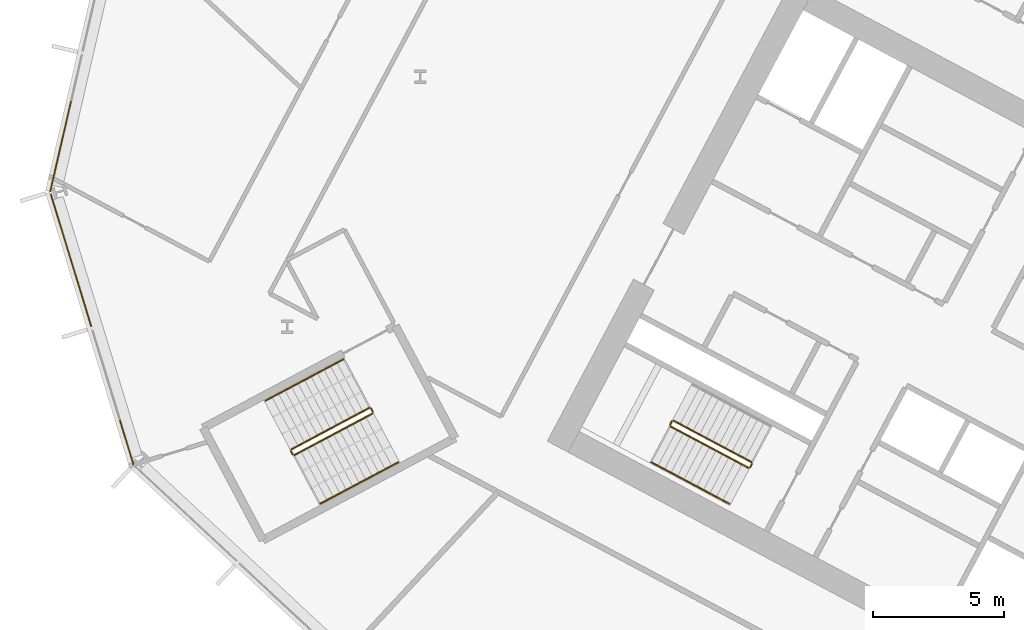
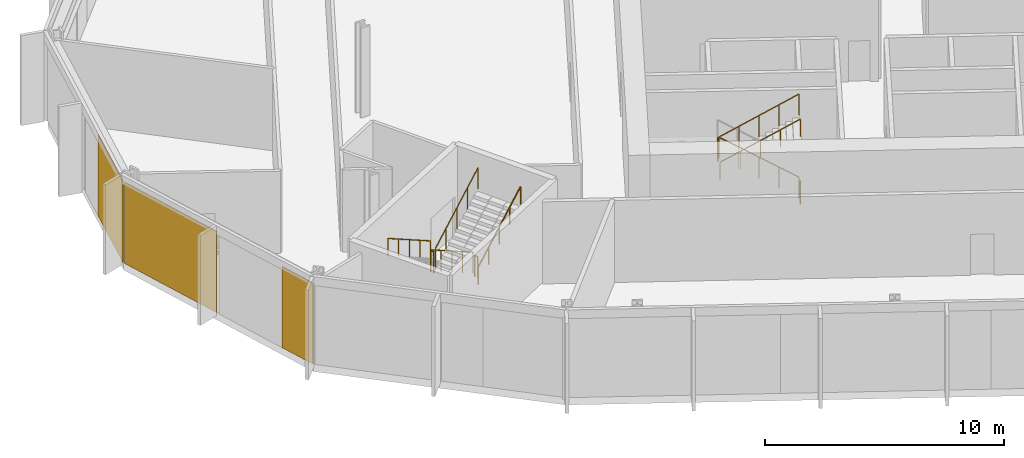
# One storey, part 23 of 31: 11 railings, 3 coverings, 2 elements without a shape of their own.
"""IFC4 building model written with IfcOpenShell, lengths in metres."""

from ifc_helpers import new_model, si_unit, direction, frame, origin, origin_2d, place, context, subcontext, project, spatial, polyline, rectangle, outline, extrude, material, layer, layer_set, type_object, element, aggregate, save


model = new_model("IFC4")

# Units and contexts
model_context = context("Model", 3, precision=1e-05, world=origin(), true_north=direction((0.0, 1.0)))
body_context = subcontext(model_context, "Body", "Model", "MODEL_VIEW")
ifc_project = project(units=[si_unit("LENGTHUNIT", "METRE"), si_unit("AREAUNIT", "SQUARE_METRE"), si_unit("VOLUMEUNIT", "CUBIC_METRE"), si_unit("PLANEANGLEUNIT", "RADIAN"), si_unit("MASSUNIT", "GRAM", prefix="KILO")], contexts=[model_context])

# Site, building, storey
site_placement = place(None, origin())
site = spatial("IfcSite", under=ifc_project, at=site_placement, CompositionType="ELEMENT")
building_placement = place(site_placement, origin())
building = spatial("IfcBuilding", under=site, at=building_placement, Name="Cormorant Relay Tower", CompositionType="ELEMENT")
storey_placement = place(building_placement, frame((0.0, 0.0, 93.800048828125)))
storey = spatial("IfcBuildingStorey", under=building, at=storey_placement, Name="L18", CompositionType="ELEMENT", Elevation=93.800048828125)

# Curtain wall, covering
ifc_material_1 = material(Name="Aluminium 6063-T6 anodised bronze", Category="aluminium")
ifc_layer_1 = layer(ifc_material_1, 0.199951171875)
ifc_layer_set_1 = layer_set([ifc_layer_1], Name="CW1 unitised bronze curtain wall with vertical fins")
curtain_wall_type = type_object("IfcCurtainWallType", Name="CW1 unitised bronze curtain wall with vertical fins", PredefinedType="NOTDEFINED", material=ifc_layer_set_1)
curtain_wall_1_placement = place(storey_placement, origin())
curtain_wall_1 = element("IfcCurtainWall", 1, at=curtain_wall_1_placement, inside=storey, type_object=curtain_wall_type, Name="CW1 curtain wall 11", PredefinedType="NOTDEFINED")
ifc_material_2 = material(Name="Pale bronze anodised aluminium insulated panel", Category="aluminium")
ifc_layer_2 = layer(ifc_material_2, 0.0400390625)
ifc_layer_set_2 = layer_set([ifc_layer_2], Name="CW1 pale bronze insulated panel 40")
covering_type = type_object("IfcCoveringType", Name="CW1 pale bronze insulated panel 40", PredefinedType="CLADDING", material=ifc_layer_set_2)
covering_1_placement = place(storey_placement, frame((-60.3388671875, 22.13232421875, 0.0), z_axis=(0.0, 0.0, 1.0), x_axis=(-0.224951054344, -0.974370064785, 0.0)))
covering_1 = element("IfcCovering", 2, at=covering_1_placement, type_object=covering_type, Name="CW1 panel S02", PredefinedType="CLADDING", context=body_context, shape_type="SweptSolid", body=[
    extrude(rectangle(XDim=3.560302734375, YDim=0.0400390625, at=origin_2d()), origin(), (0.0, 0.0, 1.0), 4.14990234375),
])
aggregate(curtain_wall_1, [covering_1])

# Curtain wall, coverings
curtain_wall_2_placement = place(storey_placement, origin())
curtain_wall_2 = element("IfcCurtainWall", 3, at=curtain_wall_2_placement, inside=storey, type_object=curtain_wall_type, Name="CW1 curtain wall 12", PredefinedType="NOTDEFINED")
covering_2_placement = place(storey_placement, frame((-59.9443359375, 17.78857421875, 0.0), z_axis=(0.0, 0.0, 1.0), x_axis=(0.292371704723, -0.956304755963, 0.0)))
covering_2 = element("IfcCovering", 4, at=covering_2_placement, type_object=covering_type, Name="CW1 panel S00", PredefinedType="CLADDING", context=body_context, shape_type="SweptSolid", body=[
    extrude(rectangle(XDim=5.28515625, YDim=0.0400390625, at=origin_2d()), origin(), (0.0, 0.0, 1.0), 4.14990234375),
])
covering_3_placement = place(storey_placement, frame((-57.818115234375, 10.833740234375, 0.0), z_axis=(0.0, 0.0, 1.0), x_axis=(0.292371704723, -0.956304755963, 0.0)))
covering_3 = element("IfcCovering", 5, at=covering_3_placement, type_object=covering_type, Name="CW1 panel S02", PredefinedType="CLADDING", context=body_context, shape_type="SweptSolid", body=[
    extrude(rectangle(XDim=1.76025390625, YDim=0.0400390625, at=origin_2d()), origin(), (0.0, 0.0, 1.0), 4.14990234375),
])
aggregate(curtain_wall_2, [covering_2, covering_3])

# Railings
ifc_material_3 = material(Name="Steel ASTM A572 Grade 50 (Fy 345 MPa)", Category="steel")
railing_type_1 = type_object("IfcRailingType", Name="Stair guard 1100", PredefinedType="GUARDRAIL", material=ifc_material_3)
railing_1_placement = place(storey_placement, frame((-33.9921875, 10.08935546875, 0.1767578125)))
element("IfcRailing", 6, at=railing_1_placement, inside=storey, type_object=railing_type_1, Name="L18 A2 stair guard 1", PredefinedType="GUARDRAIL", context=body_context, shape_type="SweptSolid", body=[
    extrude(outline(polyline([(0.022216796875, 0.00927734375), (0.00927734375, 0.022216796875), (-0.00927734375, 0.022216796875), (-0.022216796875, 0.00927734375), (-0.022216796875, -0.00927734375), (-0.00927734375, -0.022216796875), (0.00927734375, -0.022216796875), (0.022216796875, -0.00927734375), (0.022216796875, 0.00927734375)])), frame((0.0, 0.0, 1.076171875), z_axis=(-0.746416176936, 0.396856066424, 0.534198608526), x_axis=(-0.46945269911, -0.882957622595, 0.0)), (0.0, 0.0, 1.0), 3.974609375),
    extrude(outline(polyline([(0.019287109375, 0.008056640625), (0.008056640625, 0.019287109375), (-0.008056640625, 0.019287109375), (-0.019287109375, 0.008056640625), (-0.019287109375, -0.008056640625), (-0.008056640625, -0.019287109375), (0.008056640625, -0.019287109375), (0.019287109375, -0.008056640625), (0.019287109375, 0.008056640625)])), origin(), (0.0, 0.0, 1.0), 1.052001953125),
    extrude(outline(polyline([(0.019287109375, 0.008056640625), (0.008056640625, 0.019287109375), (-0.008056640625, 0.019287109375), (-0.019287109375, 0.008056640625), (-0.019287109375, -0.008056640625), (-0.008056640625, -0.019287109375), (0.008056640625, -0.019287109375), (0.019287109375, -0.008056640625), (0.019287109375, 0.008056640625)])), frame((-0.74169921875, 0.394287109375, 0.53076171875)), (0.0, 0.0, 1.0), 1.052001953125),
    extrude(outline(polyline([(0.019287109375, 0.008056640625), (0.008056640625, 0.019287109375), (-0.008056640625, 0.019287109375), (-0.019287109375, 0.008056640625), (-0.019287109375, -0.008056640625), (-0.008056640625, -0.019287109375), (0.008056640625, -0.019287109375), (0.019287109375, -0.008056640625), (0.019287109375, 0.008056640625)])), frame((-1.4833984375, 0.78857421875, 1.0615234375)), (0.0, 0.0, 1.0), 1.052001953125),
    extrude(outline(polyline([(0.019287109375, 0.008056640625), (0.008056640625, 0.019287109375), (-0.008056640625, 0.019287109375), (-0.019287109375, 0.008056640625), (-0.019287109375, -0.008056640625), (-0.008056640625, -0.019287109375), (0.008056640625, -0.019287109375), (0.019287109375, -0.008056640625), (0.019287109375, 0.008056640625)])), frame((-2.22509765625, 1.18310546875, 1.592529296875)), (0.0, 0.0, 1.0), 1.052001953125),
    extrude(outline(polyline([(0.019287109375, 0.008056640625), (0.008056640625, 0.019287109375), (-0.008056640625, 0.019287109375), (-0.019287109375, 0.008056640625), (-0.019287109375, -0.008056640625), (-0.008056640625, -0.019287109375), (0.008056640625, -0.019287109375), (0.019287109375, -0.008056640625), (0.019287109375, 0.008056640625)])), frame((-2.966796875, 1.577392578125, 2.123291015625)), (0.0, 0.0, 1.0), 1.052001953125),
])
railing_2_placement = place(storey_placement, frame((-37.026611328125, 11.64599609375, 2.300048828125)))
element("IfcRailing", 7, at=railing_2_placement, inside=storey, type_object=railing_type_1, Name="L18 A2 stair guard 2", PredefinedType="GUARDRAIL", context=body_context, shape_type="SweptSolid", body=[
    extrude(outline(polyline([(0.022216796875, 0.00927734375), (0.00927734375, 0.022216796875), (-0.00927734375, 0.022216796875), (-0.022216796875, 0.00927734375), (-0.022216796875, -0.00927734375), (-0.00927734375, -0.022216796875), (0.00927734375, -0.022216796875), (0.022216796875, -0.00927734375), (0.022216796875, 0.00927734375)])), frame((0.0, 0.0, 1.076171875), z_axis=(-0.469234640946, -0.883073525669, 0.0), x_axis=(0.883073525669, -0.469234640946, 0.0)), (0.0, 0.0, 1.0), 0.14990234375),
    extrude(outline(polyline([(0.019287109375, 0.008056640625), (0.008056640625, 0.019287109375), (-0.008056640625, 0.019287109375), (-0.019287109375, 0.008056640625), (-0.019287109375, -0.008056640625), (-0.008056640625, -0.019287109375), (0.008056640625, -0.019287109375), (0.019287109375, -0.008056640625), (0.019287109375, 0.008056640625)])), origin(), (0.0, 0.0, 1.0), 1.052001953125),
    extrude(outline(polyline([(0.019287109375, 0.008056640625), (0.008056640625, 0.019287109375), (-0.008056640625, 0.019287109375), (-0.019287109375, 0.008056640625), (-0.019287109375, -0.008056640625), (-0.008056640625, -0.019287109375), (0.008056640625, -0.019287109375), (0.019287109375, -0.008056640625), (0.019287109375, 0.008056640625)])), frame((-0.0703125, -0.13232421875, 0.0)), (0.0, 0.0, 1.0), 1.052001953125),
])
railing_3_placement = place(storey_placement, frame((-37.076171875, 11.446044921875, 2.476806640625)))
element("IfcRailing", 8, at=railing_3_placement, inside=storey, type_object=railing_type_1, Name="L18 A2 stair guard 3", PredefinedType="GUARDRAIL", context=body_context, shape_type="SweptSolid", body=[
    extrude(outline(polyline([(0.022216796875, 0.00927734375), (0.00927734375, 0.022216796875), (-0.00927734375, 0.022216796875), (-0.022216796875, 0.00927734375), (-0.022216796875, -0.00927734375), (-0.00927734375, -0.022216796875), (0.00927734375, -0.022216796875), (0.022216796875, -0.00927734375), (0.022216796875, 0.00927734375)])), frame((0.0, 0.0, 1.076171875), z_axis=(0.746413465702, -0.396887285154, 0.534179203172), x_axis=(0.469482818608, 0.88294160794, 0.0)), (0.0, 0.0, 1.0), 3.974365234375),
    extrude(outline(polyline([(0.019287109375, 0.008056640625), (0.008056640625, 0.019287109375), (-0.008056640625, 0.019287109375), (-0.019287109375, 0.008056640625), (-0.019287109375, -0.008056640625), (-0.008056640625, -0.019287109375), (0.008056640625, -0.019287109375), (0.019287109375, -0.008056640625), (0.019287109375, 0.008056640625)])), origin(), (0.0, 0.0, 1.0), 1.052001953125),
    extrude(outline(polyline([(0.019287109375, 0.008056640625), (0.008056640625, 0.019287109375), (-0.008056640625, 0.019287109375), (-0.019287109375, 0.008056640625), (-0.019287109375, -0.008056640625), (-0.008056640625, -0.019287109375), (0.008056640625, -0.019287109375), (0.019287109375, -0.008056640625), (0.019287109375, 0.008056640625)])), frame((0.74169921875, -0.394287109375, 0.53076171875)), (0.0, 0.0, 1.0), 1.052001953125),
    extrude(outline(polyline([(0.019287109375, 0.008056640625), (0.008056640625, 0.019287109375), (-0.008056640625, 0.019287109375), (-0.019287109375, 0.008056640625), (-0.019287109375, -0.008056640625), (-0.008056640625, -0.019287109375), (0.008056640625, -0.019287109375), (0.019287109375, -0.008056640625), (0.019287109375, 0.008056640625)])), frame((1.4833984375, -0.78857421875, 1.0615234375)), (0.0, 0.0, 1.0), 1.052001953125),
    extrude(outline(polyline([(0.019287109375, 0.008056640625), (0.008056640625, 0.019287109375), (-0.008056640625, 0.019287109375), (-0.019287109375, 0.008056640625), (-0.019287109375, -0.008056640625), (-0.008056640625, -0.019287109375), (0.008056640625, -0.019287109375), (0.019287109375, -0.008056640625), (0.019287109375, 0.008056640625)])), frame((2.224853515625, -1.18310546875, 1.59228515625)), (0.0, 0.0, 1.0), 1.052001953125),
    extrude(outline(polyline([(0.019287109375, 0.008056640625), (0.008056640625, 0.019287109375), (-0.008056640625, 0.019287109375), (-0.019287109375, 0.008056640625), (-0.019287109375, -0.008056640625), (-0.008056640625, -0.019287109375), (0.008056640625, -0.019287109375), (0.019287109375, -0.008056640625), (0.019287109375, 0.008056640625)])), frame((2.966552734375, -1.577392578125, 2.123046875)), (0.0, 0.0, 1.0), 1.052001953125),
])
railing_4_placement = place(storey_placement, frame((-33.971435546875, 10.021728515625, 0.0)))
element("IfcRailing", 9, at=railing_4_placement, inside=storey, type_object=railing_type_1, Name="L18 A2 stair guard 4", PredefinedType="GUARDRAIL", context=body_context, shape_type="SweptSolid", body=[
    extrude(outline(polyline([(0.022216796875, 0.00927734375), (0.00927734375, 0.022216796875), (-0.00927734375, 0.022216796875), (-0.022216796875, 0.00927734375), (-0.022216796875, -0.00927734375), (-0.00927734375, -0.022216796875), (0.00927734375, -0.022216796875), (0.022216796875, -0.00927734375), (0.022216796875, 0.00927734375)])), frame((0.0, 0.0, 1.076171875), z_axis=(-0.470503732759, -0.882398003998, 0.0), x_axis=(0.882398003998, -0.470503732759, 0.0)), (0.0, 0.0, 1.0), 0.14990234375),
    extrude(outline(polyline([(0.019287109375, 0.008056640625), (0.008056640625, 0.019287109375), (-0.008056640625, 0.019287109375), (-0.019287109375, 0.008056640625), (-0.019287109375, -0.008056640625), (-0.008056640625, -0.019287109375), (0.008056640625, -0.019287109375), (0.019287109375, -0.008056640625), (0.019287109375, 0.008056640625)])), origin(), (0.0, 0.0, 1.0), 1.052001953125),
    extrude(outline(polyline([(0.019287109375, 0.008056640625), (0.008056640625, 0.019287109375), (-0.008056640625, 0.019287109375), (-0.019287109375, 0.008056640625), (-0.019287109375, -0.008056640625), (-0.008056640625, -0.019287109375), (0.008056640625, -0.019287109375), (0.019287109375, -0.008056640625), (0.019287109375, 0.008056640625)])), frame((-0.070556640625, -0.13232421875, 0.0)), (0.0, 0.0, 1.0), 1.052001953125),
])
railing_5_placement = place(storey_placement, frame((-48.5693359375, 12.155517578125, 0.1767578125)))
element("IfcRailing", 10, at=railing_5_placement, inside=storey, type_object=railing_type_1, Name="L18 RP1 stair guard 1", PredefinedType="GUARDRAIL", context=body_context, shape_type="SweptSolid", body=[
    extrude(outline(polyline([(0.022216796875, 0.00927734375), (0.00927734375, 0.022216796875), (-0.00927734375, 0.022216796875), (-0.022216796875, 0.00927734375), (-0.022216796875, -0.00927734375), (-0.00927734375, -0.022216796875), (0.00927734375, -0.022216796875), (0.022216796875, -0.00927734375), (0.022216796875, 0.00927734375)])), frame((0.0, 0.0, 1.076171875), z_axis=(-0.74639798139, -0.396907814001, 0.534185586253), x_axis=(0.469509342547, -0.882927503967, 0.0)), (0.0, 0.0, 1.0), 3.974853515625),
    extrude(outline(polyline([(0.019287109375, 0.008056640625), (0.008056640625, 0.019287109375), (-0.008056640625, 0.019287109375), (-0.019287109375, 0.008056640625), (-0.019287109375, -0.008056640625), (-0.008056640625, -0.019287109375), (0.008056640625, -0.019287109375), (0.019287109375, -0.008056640625), (0.019287109375, 0.008056640625)])), origin(), (0.0, 0.0, 1.0), 1.052001953125),
    extrude(outline(polyline([(0.019287109375, 0.008056640625), (0.008056640625, 0.019287109375), (-0.008056640625, 0.019287109375), (-0.019287109375, 0.008056640625), (-0.019287109375, -0.008056640625), (-0.008056640625, -0.019287109375), (0.008056640625, -0.019287109375), (0.019287109375, -0.008056640625), (0.019287109375, 0.008056640625)])), frame((-0.74169921875, -0.39453125, 0.53076171875)), (0.0, 0.0, 1.0), 1.052001953125),
    extrude(outline(polyline([(0.019287109375, 0.008056640625), (0.008056640625, 0.019287109375), (-0.008056640625, 0.019287109375), (-0.019287109375, 0.008056640625), (-0.019287109375, -0.008056640625), (-0.008056640625, -0.019287109375), (0.008056640625, -0.019287109375), (0.019287109375, -0.008056640625), (0.019287109375, 0.008056640625)])), frame((-1.4833984375, -0.788818359375, 1.0615234375)), (0.0, 0.0, 1.0), 1.052001953125),
    extrude(outline(polyline([(0.019287109375, 0.008056640625), (0.008056640625, 0.019287109375), (-0.008056640625, 0.019287109375), (-0.019287109375, 0.008056640625), (-0.019287109375, -0.008056640625), (-0.008056640625, -0.019287109375), (0.008056640625, -0.019287109375), (0.019287109375, -0.008056640625), (0.019287109375, 0.008056640625)])), frame((-2.22509765625, -1.18310546875, 1.592529296875)), (0.0, 0.0, 1.0), 1.052001953125),
    extrude(outline(polyline([(0.019287109375, 0.008056640625), (0.008056640625, 0.019287109375), (-0.008056640625, 0.019287109375), (-0.019287109375, 0.008056640625), (-0.019287109375, -0.008056640625), (-0.008056640625, -0.019287109375), (0.008056640625, -0.019287109375), (0.019287109375, -0.008056640625), (0.019287109375, 0.008056640625)])), frame((-2.966796875, -1.57763671875, 2.123291015625)), (0.0, 0.0, 1.0), 1.052001953125),
])
railing_6_placement = place(storey_placement, frame((-51.556640625, 10.51025390625, 2.300048828125)))
element("IfcRailing", 11, at=railing_6_placement, inside=storey, type_object=railing_type_1, Name="L18 RP1 stair guard 2", PredefinedType="GUARDRAIL", context=body_context, shape_type="SweptSolid", body=[
    extrude(outline(polyline([(0.022216796875, 0.00927734375), (0.00927734375, 0.022216796875), (-0.00927734375, 0.022216796875), (-0.022216796875, 0.00927734375), (-0.022216796875, -0.00927734375), (-0.00927734375, -0.022216796875), (0.00927734375, -0.022216796875), (0.022216796875, -0.00927734375), (0.022216796875, 0.00927734375)])), frame((0.0, 0.0, 1.076171875), z_axis=(0.469234640946, -0.883073525669, 0.0), x_axis=(0.883073525669, 0.469234640946, 0.0)), (0.0, 0.0, 1.0), 0.14990234375),
    extrude(outline(polyline([(0.019287109375, 0.008056640625), (0.008056640625, 0.019287109375), (-0.008056640625, 0.019287109375), (-0.019287109375, 0.008056640625), (-0.019287109375, -0.008056640625), (-0.008056640625, -0.019287109375), (0.008056640625, -0.019287109375), (0.019287109375, -0.008056640625), (0.019287109375, 0.008056640625)])), origin(), (0.0, 0.0, 1.0), 1.052001953125),
    extrude(outline(polyline([(0.019287109375, 0.008056640625), (0.008056640625, 0.019287109375), (-0.008056640625, 0.019287109375), (-0.019287109375, 0.008056640625), (-0.019287109375, -0.008056640625), (-0.008056640625, -0.019287109375), (0.008056640625, -0.019287109375), (0.019287109375, -0.008056640625), (0.019287109375, 0.008056640625)])), frame((0.0703125, -0.13232421875, 0.0)), (0.0, 0.0, 1.0), 1.052001953125),
])
railing_7_placement = place(storey_placement, frame((-51.418701171875, 10.357177734375, 2.476806640625)))
element("IfcRailing", 12, at=railing_7_placement, inside=storey, type_object=railing_type_1, Name="L18 RP1 stair guard 3", PredefinedType="GUARDRAIL", context=body_context, shape_type="SweptSolid", body=[
    extrude(outline(polyline([(0.022216796875, 0.00927734375), (0.00927734375, 0.022216796875), (-0.00927734375, 0.022216796875), (-0.022216796875, 0.00927734375), (-0.022216796875, -0.00927734375), (-0.00927734375, -0.022216796875), (0.00927734375, -0.022216796875), (0.022216796875, -0.00927734375), (0.022216796875, 0.00927734375)])), frame((0.0, 0.0, 1.076171875), z_axis=(0.746440668329, 0.396869088057, 0.534154711306), x_axis=(-0.46945269911, 0.882957622595, 0.0)), (0.0, 0.0, 1.0), 3.974609375),
    extrude(outline(polyline([(0.019287109375, 0.008056640625), (0.008056640625, 0.019287109375), (-0.008056640625, 0.019287109375), (-0.019287109375, 0.008056640625), (-0.019287109375, -0.008056640625), (-0.008056640625, -0.019287109375), (0.008056640625, -0.019287109375), (0.019287109375, -0.008056640625), (0.019287109375, 0.008056640625)])), origin(), (0.0, 0.0, 1.0), 1.052001953125),
    extrude(outline(polyline([(0.019287109375, 0.008056640625), (0.008056640625, 0.019287109375), (-0.008056640625, 0.019287109375), (-0.019287109375, 0.008056640625), (-0.019287109375, -0.008056640625), (-0.008056640625, -0.019287109375), (0.008056640625, -0.019287109375), (0.019287109375, -0.008056640625), (0.019287109375, 0.008056640625)])), frame((0.74169921875, 0.394287109375, 0.53076171875)), (0.0, 0.0, 1.0), 1.052001953125),
    extrude(outline(polyline([(0.019287109375, 0.008056640625), (0.008056640625, 0.019287109375), (-0.008056640625, 0.019287109375), (-0.019287109375, 0.008056640625), (-0.019287109375, -0.008056640625), (-0.008056640625, -0.019287109375), (0.008056640625, -0.019287109375), (0.019287109375, -0.008056640625), (0.019287109375, 0.008056640625)])), frame((1.4833984375, 0.78857421875, 1.0615234375)), (0.0, 0.0, 1.0), 1.052001953125),
    extrude(outline(polyline([(0.019287109375, 0.008056640625), (0.008056640625, 0.019287109375), (-0.008056640625, 0.019287109375), (-0.019287109375, 0.008056640625), (-0.019287109375, -0.008056640625), (-0.008056640625, -0.019287109375), (0.008056640625, -0.019287109375), (0.019287109375, -0.008056640625), (0.019287109375, 0.008056640625)])), frame((2.22509765625, 1.18310546875, 1.59228515625)), (0.0, 0.0, 1.0), 1.052001953125),
    extrude(outline(polyline([(0.019287109375, 0.008056640625), (0.008056640625, 0.019287109375), (-0.008056640625, 0.019287109375), (-0.019287109375, 0.008056640625), (-0.019287109375, -0.008056640625), (-0.008056640625, -0.019287109375), (0.008056640625, -0.019287109375), (0.019287109375, -0.008056640625), (0.019287109375, 0.008056640625)])), frame((2.966796875, 1.577392578125, 2.123046875)), (0.0, 0.0, 1.0), 1.052001953125),
])
railing_8_placement = place(storey_placement, frame((-48.501708984375, 12.134765625, 0.0)))
element("IfcRailing", 13, at=railing_8_placement, inside=storey, type_object=railing_type_1, Name="L18 RP1 stair guard 4", PredefinedType="GUARDRAIL", context=body_context, shape_type="SweptSolid", body=[
    extrude(outline(polyline([(0.022216796875, 0.00927734375), (0.00927734375, 0.022216796875), (-0.00927734375, 0.022216796875), (-0.022216796875, 0.00927734375), (-0.022216796875, -0.00927734375), (-0.00927734375, -0.022216796875), (0.00927734375, -0.022216796875), (0.022216796875, -0.00927734375), (0.022216796875, 0.00927734375)])), frame((0.0, 0.0, 1.076171875), z_axis=(0.46856034887, -0.8834314911, 0.0), x_axis=(0.8834314911, 0.46856034887, 0.0)), (0.0, 0.0, 1.0), 0.150146484375),
    extrude(outline(polyline([(0.019287109375, 0.008056640625), (0.008056640625, 0.019287109375), (-0.008056640625, 0.019287109375), (-0.019287109375, 0.008056640625), (-0.019287109375, -0.008056640625), (-0.008056640625, -0.019287109375), (0.008056640625, -0.019287109375), (0.019287109375, -0.008056640625), (0.019287109375, 0.008056640625)])), origin(), (0.0, 0.0, 1.0), 1.052001953125),
    extrude(outline(polyline([(0.019287109375, 0.008056640625), (0.008056640625, 0.019287109375), (-0.008056640625, 0.019287109375), (-0.019287109375, 0.008056640625), (-0.019287109375, -0.008056640625), (-0.008056640625, -0.019287109375), (0.008056640625, -0.019287109375), (0.019287109375, -0.008056640625), (0.019287109375, 0.008056640625)])), frame((0.0703125, -0.132568359375, 0.0)), (0.0, 0.0, 1.0), 1.052001953125),
])
ifc_material_4 = material(Name="Steel ASTM A572 Grade 50 (Fy 345 MPa)", Category="steel")
railing_type_2 = type_object("IfcRailingType", Name="Stair handrail 900", PredefinedType="HANDRAIL", material=ifc_material_4)
railing_9_placement = place(storey_placement, frame((-37.803955078125, 10.077392578125, 2.476806640625)))
element("IfcRailing", 14, at=railing_9_placement, inside=storey, type_object=railing_type_2, Name="L18 A2 stair handrail 2", PredefinedType="HANDRAIL", context=body_context, shape_type="SweptSolid", body=[
    extrude(outline(polyline([(0.022216796875, 0.00927734375), (0.00927734375, 0.022216796875), (-0.00927734375, 0.022216796875), (-0.022216796875, 0.00927734375), (-0.022216796875, -0.00927734375), (-0.00927734375, -0.022216796875), (0.00927734375, -0.022216796875), (0.022216796875, -0.00927734375), (0.022216796875, 0.00927734375)])), frame((0.0, 0.0, 0.8759765625), z_axis=(0.746440668329, -0.396869088057, 0.534154711306), x_axis=(0.46945269911, 0.882957622595, 0.0)), (0.0, 0.0, 1.0), 3.974609375),
    extrude(outline(polyline([(0.019287109375, 0.008056640625), (0.008056640625, 0.019287109375), (-0.008056640625, 0.019287109375), (-0.019287109375, 0.008056640625), (-0.019287109375, -0.008056640625), (-0.008056640625, -0.019287109375), (0.008056640625, -0.019287109375), (0.019287109375, -0.008056640625), (0.019287109375, 0.008056640625)])), origin(), (0.0, 0.0, 1.0), 0.851806640625),
    extrude(outline(polyline([(0.019287109375, 0.008056640625), (0.008056640625, 0.019287109375), (-0.008056640625, 0.019287109375), (-0.019287109375, 0.008056640625), (-0.019287109375, -0.008056640625), (-0.008056640625, -0.019287109375), (0.008056640625, -0.019287109375), (0.019287109375, -0.008056640625), (0.019287109375, 0.008056640625)])), frame((0.74169921875, -0.394287109375, 0.53076171875)), (0.0, 0.0, 1.0), 0.851806640625),
    extrude(outline(polyline([(0.019287109375, 0.008056640625), (0.008056640625, 0.019287109375), (-0.008056640625, 0.019287109375), (-0.019287109375, 0.008056640625), (-0.019287109375, -0.008056640625), (-0.008056640625, -0.019287109375), (0.008056640625, -0.019287109375), (0.019287109375, -0.008056640625), (0.019287109375, 0.008056640625)])), frame((1.4833984375, -0.78857421875, 1.0615234375)), (0.0, 0.0, 1.0), 0.851806640625),
    extrude(outline(polyline([(0.019287109375, 0.008056640625), (0.008056640625, 0.019287109375), (-0.008056640625, 0.019287109375), (-0.019287109375, 0.008056640625), (-0.019287109375, -0.008056640625), (-0.008056640625, -0.019287109375), (0.008056640625, -0.019287109375), (0.019287109375, -0.008056640625), (0.019287109375, 0.008056640625)])), frame((2.22509765625, -1.18310546875, 1.59228515625)), (0.0, 0.0, 1.0), 0.851806640625),
    extrude(outline(polyline([(0.019287109375, 0.008056640625), (0.008056640625, 0.019287109375), (-0.008056640625, 0.019287109375), (-0.019287109375, 0.008056640625), (-0.019287109375, -0.008056640625), (-0.008056640625, -0.019287109375), (0.008056640625, -0.019287109375), (0.019287109375, -0.008056640625), (0.019287109375, 0.008056640625)])), frame((2.966796875, -1.577392578125, 2.123046875)), (0.0, 0.0, 1.0), 0.851806640625),
])
railing_10_placement = place(storey_placement, frame((-49.55517578125, 14.009521484375, 0.1767578125)))
element("IfcRailing", 15, at=railing_10_placement, inside=storey, type_object=railing_type_2, Name="L18 RP1 stair handrail 1", PredefinedType="HANDRAIL", context=body_context, shape_type="SweptSolid", body=[
    extrude(outline(polyline([(0.022216796875, 0.00927734375), (0.00927734375, 0.022216796875), (-0.00927734375, 0.022216796875), (-0.022216796875, 0.00927734375), (-0.022216796875, -0.00927734375), (-0.00927734375, -0.022216796875), (0.00927734375, -0.022216796875), (0.022216796875, -0.00927734375), (0.022216796875, 0.00927734375)])), frame((0.0, 0.0, 0.8759765625), z_axis=(-0.746416176936, -0.396856066424, 0.534198608526), x_axis=(0.46945269911, -0.882957622595, 0.0)), (0.0, 0.0, 1.0), 3.974609375),
    extrude(outline(polyline([(0.019287109375, 0.008056640625), (0.008056640625, 0.019287109375), (-0.008056640625, 0.019287109375), (-0.019287109375, 0.008056640625), (-0.019287109375, -0.008056640625), (-0.008056640625, -0.019287109375), (0.008056640625, -0.019287109375), (0.019287109375, -0.008056640625), (0.019287109375, 0.008056640625)])), origin(), (0.0, 0.0, 1.0), 0.851806640625),
    extrude(outline(polyline([(0.019287109375, 0.008056640625), (0.008056640625, 0.019287109375), (-0.008056640625, 0.019287109375), (-0.019287109375, 0.008056640625), (-0.019287109375, -0.008056640625), (-0.008056640625, -0.019287109375), (0.008056640625, -0.019287109375), (0.019287109375, -0.008056640625), (0.019287109375, 0.008056640625)])), frame((-0.74169921875, -0.394287109375, 0.53076171875)), (0.0, 0.0, 1.0), 0.851806640625),
    extrude(outline(polyline([(0.019287109375, 0.008056640625), (0.008056640625, 0.019287109375), (-0.008056640625, 0.019287109375), (-0.019287109375, 0.008056640625), (-0.019287109375, -0.008056640625), (-0.008056640625, -0.019287109375), (0.008056640625, -0.019287109375), (0.019287109375, -0.008056640625), (0.019287109375, 0.008056640625)])), frame((-1.4833984375, -0.78857421875, 1.0615234375)), (0.0, 0.0, 1.0), 0.851806640625),
    extrude(outline(polyline([(0.019287109375, 0.008056640625), (0.008056640625, 0.019287109375), (-0.008056640625, 0.019287109375), (-0.019287109375, 0.008056640625), (-0.019287109375, -0.008056640625), (-0.008056640625, -0.019287109375), (0.008056640625, -0.019287109375), (0.019287109375, -0.008056640625), (0.019287109375, 0.008056640625)])), frame((-2.22509765625, -1.18310546875, 1.592529296875)), (0.0, 0.0, 1.0), 0.851806640625),
    extrude(outline(polyline([(0.019287109375, 0.008056640625), (0.008056640625, 0.019287109375), (-0.008056640625, 0.019287109375), (-0.019287109375, 0.008056640625), (-0.019287109375, -0.008056640625), (-0.008056640625, -0.019287109375), (0.008056640625, -0.019287109375), (0.019287109375, -0.008056640625), (0.019287109375, 0.008056640625)])), frame((-2.966796875, -1.577392578125, 2.123291015625)), (0.0, 0.0, 1.0), 0.851806640625),
])
railing_11_placement = place(storey_placement, frame((-50.432861328125, 8.503173828125, 2.476806640625)))
element("IfcRailing", 16, at=railing_11_placement, inside=storey, type_object=railing_type_2, Name="L18 RP1 stair handrail 2", PredefinedType="HANDRAIL", context=body_context, shape_type="SweptSolid", body=[
    extrude(outline(polyline([(0.022216796875, 0.00927734375), (0.00927734375, 0.022216796875), (-0.00927734375, 0.022216796875), (-0.022216796875, 0.00927734375), (-0.022216796875, -0.00927734375), (-0.00927734375, -0.022216796875), (0.00927734375, -0.022216796875), (0.022216796875, -0.00927734375), (0.022216796875, 0.00927734375)])), frame((0.0, 0.0, 0.8759765625), z_axis=(0.746440668329, 0.396869088057, 0.534154711306), x_axis=(-0.46945269911, 0.882957622595, 0.0)), (0.0, 0.0, 1.0), 3.974609375),
    extrude(outline(polyline([(0.019287109375, 0.008056640625), (0.008056640625, 0.019287109375), (-0.008056640625, 0.019287109375), (-0.019287109375, 0.008056640625), (-0.019287109375, -0.008056640625), (-0.008056640625, -0.019287109375), (0.008056640625, -0.019287109375), (0.019287109375, -0.008056640625), (0.019287109375, 0.008056640625)])), origin(), (0.0, 0.0, 1.0), 0.851806640625),
    extrude(outline(polyline([(0.019287109375, 0.008056640625), (0.008056640625, 0.019287109375), (-0.008056640625, 0.019287109375), (-0.019287109375, 0.008056640625), (-0.019287109375, -0.008056640625), (-0.008056640625, -0.019287109375), (0.008056640625, -0.019287109375), (0.019287109375, -0.008056640625), (0.019287109375, 0.008056640625)])), frame((0.74169921875, 0.394287109375, 0.53076171875)), (0.0, 0.0, 1.0), 0.851806640625),
    extrude(outline(polyline([(0.019287109375, 0.008056640625), (0.008056640625, 0.019287109375), (-0.008056640625, 0.019287109375), (-0.019287109375, 0.008056640625), (-0.019287109375, -0.008056640625), (-0.008056640625, -0.019287109375), (0.008056640625, -0.019287109375), (0.019287109375, -0.008056640625), (0.019287109375, 0.008056640625)])), frame((1.4833984375, 0.78857421875, 1.0615234375)), (0.0, 0.0, 1.0), 0.851806640625),
    extrude(outline(polyline([(0.019287109375, 0.008056640625), (0.008056640625, 0.019287109375), (-0.008056640625, 0.019287109375), (-0.019287109375, 0.008056640625), (-0.019287109375, -0.008056640625), (-0.008056640625, -0.019287109375), (0.008056640625, -0.019287109375), (0.019287109375, -0.008056640625), (0.019287109375, 0.008056640625)])), frame((2.22509765625, 1.18310546875, 1.59228515625)), (0.0, 0.0, 1.0), 0.851806640625),
    extrude(outline(polyline([(0.019287109375, 0.008056640625), (0.008056640625, 0.019287109375), (-0.008056640625, 0.019287109375), (-0.019287109375, 0.008056640625), (-0.019287109375, -0.008056640625), (-0.008056640625, -0.019287109375), (0.008056640625, -0.019287109375), (0.019287109375, -0.008056640625), (0.019287109375, 0.008056640625)])), frame((2.966796875, 1.577392578125, 2.123046875)), (0.0, 0.0, 1.0), 0.851806640625),
])

save(model, "model.ifc")
